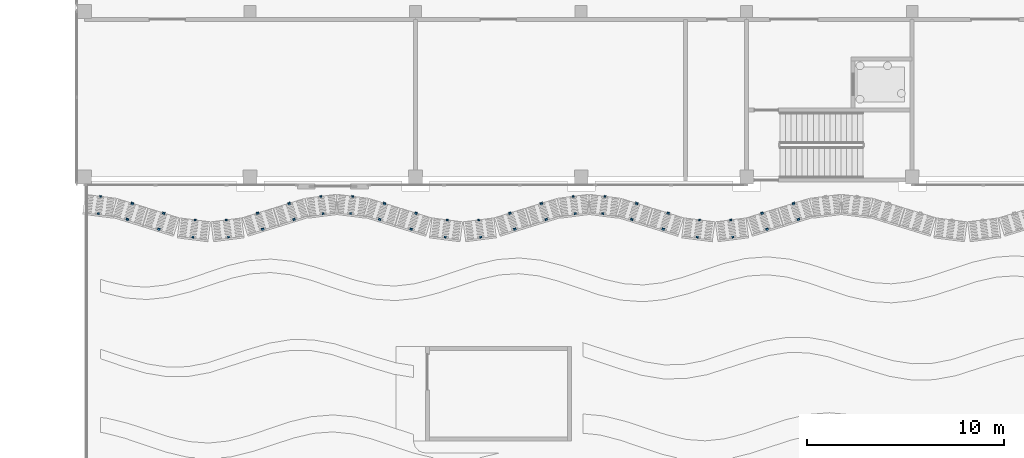
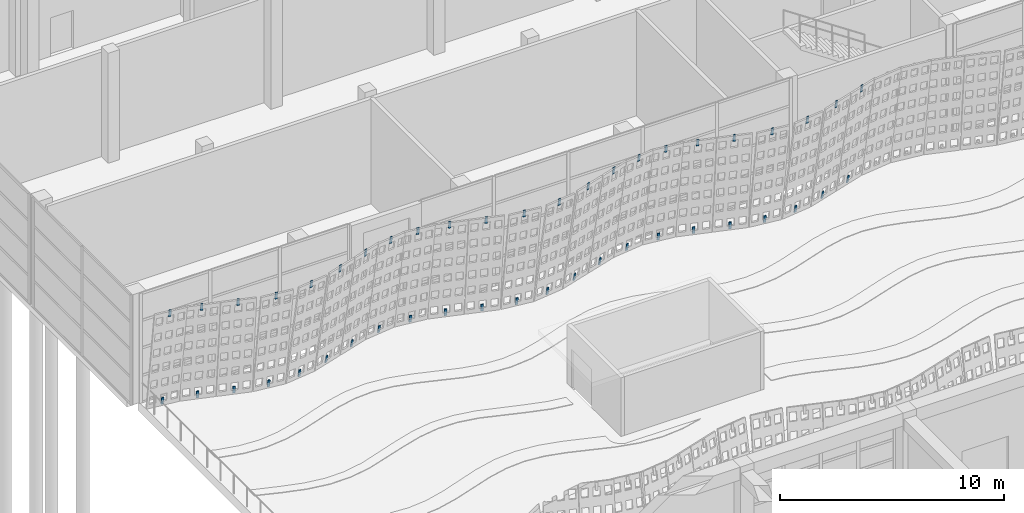
# One storey, part 139 of 210: 46 discrete accessories.
"""IFC4 building model written with IfcOpenShell, lengths in metres."""

import ifcopenshell
import ifcopenshell.guid

model = None  # the IFC model being written
_history = None  # IfcOwnerHistory: only IFC2X3 demands one
_inside = {}  # id of a spatial element -> (the spatial element, [elements in it])
_under = {}  # id of a project, library or spatial element -> (it, [spatial elements below it])
_declared = {}  # id of a project -> (the project, [libraries it declares])
_typed = {}  # id of a type object -> (the type object, [elements of that type])
_made_of = {}  # id of a material, layer set ... -> (it, [elements and type objects made of it])


def new_model(schema):
    """Start an empty IFC model of exactly this schema.

    Asked for "IFC4X3", IfcOpenShell would pick the latest addendum, in which some entities
    have other attributes; the version numbers below select the first issue.
    IFC2X3 requires an IfcOwnerHistory on every rooted entity: one is made here for all.
    """
    global model, _history
    if schema == "IFC4X3":
        model = ifcopenshell.file(schema_version=(4, 3, 0, 0))
    else:
        model = ifcopenshell.file(schema=schema)
    _inside.clear()
    _under.clear()
    _declared.clear()
    _typed.clear()
    _made_of.clear()
    _history = None
    if model.schema == "IFC2X3":
        org = make("IfcOrganization", Name="unknown")
        user = make(
            "IfcPersonAndOrganization",
            ThePerson=make("IfcPerson", FamilyName="unknown"),
            TheOrganization=org,
        )
        app = make(
            "IfcApplication",
            ApplicationDeveloper=org,
            Version="unknown",
            ApplicationFullName="unknown",
            ApplicationIdentifier="unknown",
        )
        _history = make(
            "IfcOwnerHistory",
            OwningUser=user,
            OwningApplication=app,
            ChangeAction="ADDED",
            CreationDate=0,
        )
    return model


def make(cls, **values):
    """One entity of the class cls with the attributes given. An attribute that is None is left unset."""
    return model.create_entity(
        cls, **{name: value for name, value in values.items() if value is not None}
    )


def rooted(cls, **values):
    """An entity with a GlobalId (a new one), such as an element, a storey or a relation."""
    return make(cls, GlobalId=ifcopenshell.guid.new(), OwnerHistory=_history, **values)


def si_unit(unit_type, name, prefix=None):
    """IfcSIUnit, for example si_unit("LENGTHUNIT", "METRE", prefix="MILLI")."""
    return make("IfcSIUnit", UnitType=unit_type, Prefix=prefix, Name=name)


def assignment(units):
    """IfcUnitAssignment: the units of a project."""
    return None if units is None else make("IfcUnitAssignment", Units=units)


def point(xyz):
    """IfcCartesianPoint."""
    return None if xyz is None else make("IfcCartesianPoint", Coordinates=xyz)


def direction(xyz):
    """IfcDirection."""
    return None if xyz is None else make("IfcDirection", DirectionRatios=xyz)


def frame(location, z_axis=None, x_axis=None):
    """IfcAxis2Placement3D, a coordinate frame: its origin and axes. An axis left out is left unset."""
    return make(
        "IfcAxis2Placement3D",
        Location=point(location),
        Axis=direction(z_axis),
        RefDirection=direction(x_axis),
    )


def frame_2d(location, x_axis=None):
    """IfcAxis2Placement2D, a coordinate frame in the plane: its origin and x axis."""
    return make(
        "IfcAxis2Placement2D", Location=point(location), RefDirection=direction(x_axis)
    )


def origin():
    """The frame at (0, 0, 0) with its axes left unset."""
    return frame((0.0, 0.0, 0.0))


def origin_2d():
    """The frame at (0, 0) in the plane with its x axis left unset."""
    return frame_2d((0.0, 0.0))


def place(relative_to, where):
    """IfcLocalPlacement: puts the frame where relative to a parent placement (None: the world)."""
    return make(
        "IfcLocalPlacement", PlacementRelTo=relative_to, RelativePlacement=where
    )


def context(
    kind, dimensions, precision=None, world=None, true_north=None, identifier=None
):
    """IfcGeometricRepresentationContext, for example the 3D "Model" context."""
    return make(
        "IfcGeometricRepresentationContext",
        ContextIdentifier=identifier,
        ContextType=kind,
        CoordinateSpaceDimension=dimensions,
        Precision=precision,
        WorldCoordinateSystem=world,
        TrueNorth=true_north,
    )


def subcontext(parent, identifier, kind, view, scale=None):
    """IfcGeometricRepresentationSubContext, for example "Body" below "Model"."""
    return make(
        "IfcGeometricRepresentationSubContext",
        ContextIdentifier=identifier,
        ContextType=kind,
        ParentContext=parent,
        TargetScale=scale,
        TargetView=view,
    )


def project(units=None, contexts=None):
    """IfcProject with its units and contexts."""
    return rooted(
        "IfcProject",
        Name="project",
        RepresentationContexts=contexts,
        UnitsInContext=assignment(units),
    )


def spatial(cls, under=None, at=None, **own):
    """A site, building, storey or space (cls), placed at a placement, below another one or the project."""
    s = rooted(cls, ObjectPlacement=at, **own)
    if under is not None:
        _under.setdefault(under.id(), (under, []))[1].append(s)
    return s


def profile(cls, at=None, kind="AREA", **sizes):
    """A parametric profile (cls). Its sizes go by their IFC names, for example OverallWidth=200.0."""
    return make(cls, ProfileType=kind, Position=at, **sizes)


def rectangle(**sizes):
    """IfcRectangleProfileDef."""
    return profile("IfcRectangleProfileDef", **sizes)


def extrude(swept, where, along, depth):
    """IfcExtrudedAreaSolid: the profile swept, set in the frame where, extruded along a direction by depth."""
    return make(
        "IfcExtrudedAreaSolid",
        SweptArea=swept,
        Position=where,
        ExtrudedDirection=direction(along),
        Depth=depth,
    )


def shape(context_of_items, identifier, shape_type, items):
    """IfcShapeRepresentation: the items that make up one representation, for example the "Body"."""
    return make(
        "IfcShapeRepresentation",
        ContextOfItems=context_of_items,
        RepresentationIdentifier=identifier,
        RepresentationType=shape_type,
        Items=items,
    )


def material(Name=None, Category=None):
    """IfcMaterial."""
    return make("IfcMaterial", Name=Name, Category=Category)


def material_profile(
    of_material, cross_section, Name=None, Category=None, Priority=None
):
    """IfcMaterialProfile: a cross section and its material."""
    return make(
        "IfcMaterialProfile",
        Name=Name,
        Material=of_material,
        Profile=cross_section,
        Priority=Priority,
        Category=Category,
    )


def profile_set(profiles, Name=None, composite=None):
    """IfcMaterialProfileSet."""
    return make(
        "IfcMaterialProfileSet",
        Name=Name,
        MaterialProfiles=profiles,
        CompositeProfile=composite,
    )


def made_of(thing, what):
    """Note that an element or type object is made of a material, layer set ...; save() writes the relation."""
    if what is not None:
        _made_of.setdefault(what.id(), (what, []))[1].append(thing)
    return thing


def type_object(cls, material=None, **own):
    """A type object (cls), such as IfcWallType, which elements share."""
    return made_of(rooted(cls, **own), material)


def element(
    cls,
    number,
    at=None,
    inside=None,
    cuts=None,
    type_object=None,
    material=None,
    context=None,
    identifier="Body",
    shape_type=None,
    held_by="IfcProductDefinitionShape",
    body=None,
    shapes=None,
    **own,
):
    """One element of the class cls, such as IfcWall. Its Tag is "e" and its number.

    at: its placement. inside: the storey or other place that contains it. cuts: it is an
    opening in that element (IfcRelVoidsElement). A single representation is given by context,
    identifier, shape_type and body (its items); several are given by shapes. held_by: the class
    of the entity that holds the representations. save() writes the other relations.
    """
    e = rooted(cls, Tag="e%d" % number, ObjectPlacement=at, **own)
    if body is not None:
        shapes = [shape(context, identifier, shape_type, body)]
    if shapes is not None:
        e.Representation = make(held_by, Representations=shapes)
    if inside is not None:
        _inside.setdefault(inside.id(), (inside, []))[1].append(e)
    if cuts is not None:
        rooted(
            "IfcRelVoidsElement", RelatingBuildingElement=cuts, RelatedOpeningElement=e
        )
    if type_object is not None:
        _typed.setdefault(type_object.id(), (type_object, []))[1].append(e)
    return made_of(e, material)


def aggregate(whole, parts):
    """IfcRelAggregates: a whole, such as a stair, and the parts it consists of."""
    return rooted("IfcRelAggregates", RelatingObject=whole, RelatedObjects=parts)


def save(model, path):
    """Write the relations noted so far, then the file.

    IfcRelAggregates (storeys below a building ...), IfcRelContainedInSpatialStructure (elements
    in a storey), IfcRelDefinesByType, IfcRelAssociatesMaterial and IfcRelDeclares: one each for
    every whole, place, type object, material and project.
    """
    for whole, parts in _under.values():
        aggregate(whole, parts)
    for where, things in _inside.values():
        rooted(
            "IfcRelContainedInSpatialStructure",
            RelatedElements=things,
            RelatingStructure=where,
        )
    for kind, things in _typed.values():
        rooted("IfcRelDefinesByType", RelatedObjects=things, RelatingType=kind)
    for what, things in _made_of.values():
        rooted("IfcRelAssociatesMaterial", RelatedObjects=things, RelatingMaterial=what)
    for by, libraries in _declared.values():
        rooted("IfcRelDeclares", RelatingContext=by, RelatedDefinitions=libraries)
    model.write(path)


model = new_model("IFC4")

# Units and contexts
model_context = context("Model", 3, precision=1e-05, world=origin(), true_north=direction((0.0, 1.0)))
body_context = subcontext(model_context, "Body", "Model", "MODEL_VIEW")
ifc_project = project(units=[si_unit("LENGTHUNIT", "METRE"), si_unit("AREAUNIT", "SQUARE_METRE"), si_unit("VOLUMEUNIT", "CUBIC_METRE"), si_unit("PLANEANGLEUNIT", "RADIAN"), si_unit("MASSUNIT", "GRAM", prefix="KILO")], contexts=[model_context])

# Site, building, storey
site_placement = place(None, origin())
site = spatial("IfcSite", under=ifc_project, at=site_placement, CompositionType="ELEMENT")
building_placement = place(site_placement, origin())
building = spatial("IfcBuilding", under=site, at=building_placement, Name="Rain Tree Exposition and Congress Centre", CompositionType="ELEMENT")
storey_placement = place(building_placement, origin())
storey = spatial("IfcBuildingStorey", under=building, at=storey_placement, Name="L00", CompositionType="ELEMENT", Elevation=0.0)

# Discrete accessories
ifc_material = material(Name="Steel S355J2", Category="steel")
ifc_material_profile = material_profile(ifc_material, rectangle(XDim=0.1201171875, YDim=0.050048828125, at=origin_2d()), Name="Flat bar 120x50")
ifc_profile_set = profile_set([ifc_material_profile], Name="Steel S355J2")
discrete_accessory_type = type_object("IfcDiscreteAccessoryType", Name="Screen bracket 120x50", PredefinedType="BRACKET", material=ifc_profile_set)
for number, where, z_axis, x_axis, name in (
    (1, (0.701904296875, 73.781005859375, 5.351318359375), (-0.020749404626, -0.160502747552, 0.986817272972), (0.991746960377, -0.128210633661, 0.0), "concourse/bracket/L00/0011t"),
    (2, (0.813232421875, 74.650390625, 0.00390625), (-0.020749404626, -0.160502747552, 0.986817272972), (0.991746960377, -0.128210633661, 0.0), "concourse/bracket/L00/0011b"),
):
    element("IfcDiscreteAccessory", number, at=place(storey_placement, frame(where, z_axis=z_axis, x_axis=x_axis)), inside=storey, type_object=discrete_accessory_type, Name=name, PredefinedType="BRACKET", context=body_context, shape_type="SweptSolid", body=[
        extrude(rectangle(XDim=0.1201171875, YDim=0.050048828125, at=origin_2d()), origin(), (0.0, 0.0, 1.0), 0.400146484375),
    ])
for number, where, z_axis, x_axis, name in (
    (3, (2.18115234375, 73.489990234375, 5.35107421875), (-0.046396386353, -0.148956819344, 0.987754646309), (0.954758063246, -0.297383659044, 0.0), "concourse/bracket/L00/0021t"),
    (4, (2.4306640625, 74.29638671875, 0.00390625), (-0.046396386353, -0.148956819344, 0.987754646309), (0.954758063246, -0.297383659044, 0.0), "concourse/bracket/L00/0021b"),
    (5, (3.77783203125, 72.99609375, 5.35107421875), (-0.045783024094, -0.149557878708, 0.987692439791), (0.956199955507, -0.292714272094, 0.0), "concourse/bracket/L00/0031t"),
    (6, (4.02734375, 73.802490234375, 0.00390625), (-0.046396386353, -0.148956819344, 0.987754646309), (0.954758063246, -0.297383659044, 0.0), "concourse/bracket/L00/0031b"),
):
    element("IfcDiscreteAccessory", number, at=place(storey_placement, frame(where, z_axis=z_axis, x_axis=x_axis)), inside=storey, type_object=discrete_accessory_type, Name=name, PredefinedType="BRACKET", context=body_context, shape_type="SweptSolid", body=[
        extrude(rectangle(XDim=0.1201171875, YDim=0.050048828125, at=origin_2d()), origin(), (0.0, 0.0, 1.0), 0.39990234375),
    ])
for number, where, z_axis, x_axis, name in (
    (7, (5.5, 72.586181640625, 5.351318359375), (-0.020139379294, -0.160504750127, 0.986829585384), (0.992219726556, -0.124499053142, 0.0), "concourse/bracket/L00/0041t"),
    (8, (5.611572265625, 73.45556640625, 0.00390625), (-0.020749404626, -0.160502747552, 0.986817272972), (0.991746960377, -0.128210633661, 0.0), "concourse/bracket/L00/0041b"),
    (9, (7.2998046875, 72.586181640625, 5.351318359375), (0.020749404626, -0.160502747552, 0.986817272972), (0.991746960377, 0.128210633661, 0.0), "concourse/bracket/L00/0051t"),
    (10, (7.1884765625, 73.45556640625, 0.00390625), (0.020749404626, -0.160502747552, 0.986817272972), (0.991746960377, 0.128210633661, 0.0), "concourse/bracket/L00/0051b"),
):
    element("IfcDiscreteAccessory", number, at=place(storey_placement, frame(where, z_axis=z_axis, x_axis=x_axis)), inside=storey, type_object=discrete_accessory_type, Name=name, PredefinedType="BRACKET", context=body_context, shape_type="SweptSolid", body=[
        extrude(rectangle(XDim=0.1201171875, YDim=0.050048828125, at=origin_2d()), origin(), (0.0, 0.0, 1.0), 0.400146484375),
    ])
for number, where, z_axis, x_axis, name in (
    (11, (9.022216796875, 72.99609375, 5.35107421875), (0.045783024094, -0.149557878708, 0.987692439791), (0.956199955507, 0.292714272094, 0.0), "concourse/bracket/L00/0061t"),
    (12, (8.772705078125, 73.802490234375, 0.00390625), (0.045787195948, -0.148961010819, 0.987782440593), (0.955863671221, 0.293810554678, 0.0), "concourse/bracket/L00/0061b"),
    (13, (10.618896484375, 73.489990234375, 5.35107421875), (0.045787195948, -0.148961010819, 0.987782440593), (0.955863671221, 0.293810554678, 0.0), "concourse/bracket/L00/0071t"),
    (14, (10.369384765625, 74.29638671875, 0.00390625), (0.045787195948, -0.148961010819, 0.987782440593), (0.955863671221, 0.293810554678, 0.0), "concourse/bracket/L00/0071b"),
):
    element("IfcDiscreteAccessory", number, at=place(storey_placement, frame(where, z_axis=z_axis, x_axis=x_axis)), inside=storey, type_object=discrete_accessory_type, Name=name, PredefinedType="BRACKET", context=body_context, shape_type="SweptSolid", body=[
        extrude(rectangle(XDim=0.1201171875, YDim=0.050048828125, at=origin_2d()), origin(), (0.0, 0.0, 1.0), 0.39990234375),
    ])
for number, where, z_axis, x_axis, name in (
    (15, (12.09814453125, 73.781005859375, 5.351318359375), (0.020749404626, -0.160502747552, 0.986817272972), (0.991746960377, 0.128210633661, 0.0), "concourse/bracket/L00/0081t"),
    (16, (11.98681640625, 74.650390625, 0.00390625), (0.020749404626, -0.160502747552, 0.986817272972), (0.991746960377, 0.128210633661, 0.0), "concourse/bracket/L00/0081b"),
    (17, (13.501708984375, 73.781005859375, 5.351318359375), (-0.020139379294, -0.160504750127, 0.986829585384), (0.992219726556, -0.124499053142, 0.0), "concourse/bracket/L00/0091t"),
    (18, (13.61328125, 74.650390625, 0.00390625), (-0.020749404626, -0.160502747552, 0.986817272972), (0.991746960377, -0.128210633661, 0.0), "concourse/bracket/L00/0091b"),
):
    element("IfcDiscreteAccessory", number, at=place(storey_placement, frame(where, z_axis=z_axis, x_axis=x_axis)), inside=storey, type_object=discrete_accessory_type, Name=name, PredefinedType="BRACKET", context=body_context, shape_type="SweptSolid", body=[
        extrude(rectangle(XDim=0.1201171875, YDim=0.050048828125, at=origin_2d()), origin(), (0.0, 0.0, 1.0), 0.400146484375),
    ])
for number, where, z_axis, x_axis, name in (
    (19, (14.981201171875, 73.489990234375, 5.35107421875), (-0.046396386353, -0.148956819344, 0.987754646309), (0.954758063246, -0.297383659044, 0.0), "concourse/bracket/L00/0101t"),
    (20, (15.230712890625, 74.29638671875, 0.00390625), (-0.046396386353, -0.148956819344, 0.987754646309), (0.954758063246, -0.297383659044, 0.0), "concourse/bracket/L00/0101b"),
    (21, (16.577880859375, 72.99609375, 5.35107421875), (-0.046392159231, -0.149553671205, 0.987664653104), (0.955102182504, -0.296276595389, 0.0), "concourse/bracket/L00/0111t"),
    (22, (16.827392578125, 73.802490234375, 0.00390625), (-0.046396386353, -0.148956819344, 0.987754646309), (0.954758063246, -0.297383659044, 0.0), "concourse/bracket/L00/0111b"),
):
    element("IfcDiscreteAccessory", number, at=place(storey_placement, frame(where, z_axis=z_axis, x_axis=x_axis)), inside=storey, type_object=discrete_accessory_type, Name=name, PredefinedType="BRACKET", context=body_context, shape_type="SweptSolid", body=[
        extrude(rectangle(XDim=0.1201171875, YDim=0.050048828125, at=origin_2d()), origin(), (0.0, 0.0, 1.0), 0.39990234375),
    ])
for number, where, z_axis, x_axis, name in (
    (23, (18.300048828125, 72.586181640625, 5.351318359375), (-0.020139379294, -0.160504750127, 0.986829585384), (0.992219726556, -0.124499053142, 0.0), "concourse/bracket/L00/0121t"),
    (24, (18.41162109375, 73.45556640625, 0.00390625), (-0.020749404626, -0.160502747552, 0.986817272972), (0.991746960377, -0.128210633661, 0.0), "concourse/bracket/L00/0121b"),
    (25, (20.099853515625, 72.586181640625, 5.351318359375), (0.020749404626, -0.160502747552, 0.986817272972), (0.991746960377, 0.128210633661, 0.0), "concourse/bracket/L00/0131t"),
    (26, (19.988525390625, 73.45556640625, 0.00390625), (0.020139379294, -0.160504750127, 0.986829585384), (0.992219726556, 0.124499053142, 0.0), "concourse/bracket/L00/0131b"),
):
    element("IfcDiscreteAccessory", number, at=place(storey_placement, frame(where, z_axis=z_axis, x_axis=x_axis)), inside=storey, type_object=discrete_accessory_type, Name=name, PredefinedType="BRACKET", context=body_context, shape_type="SweptSolid", body=[
        extrude(rectangle(XDim=0.1201171875, YDim=0.050048828125, at=origin_2d()), origin(), (0.0, 0.0, 1.0), 0.400146484375),
    ])
for number, where, z_axis, x_axis, name in (
    (27, (21.822265625, 72.99609375, 5.35107421875), (0.045783024094, -0.149557878708, 0.987692439791), (0.956199955507, 0.292714272094, 0.0), "concourse/bracket/L00/0141t"),
    (28, (21.57275390625, 73.802490234375, 0.00390625), (0.045787195948, -0.148961010819, 0.987782440593), (0.955863671221, 0.293810554678, 0.0), "concourse/bracket/L00/0141b"),
    (29, (23.4189453125, 73.489990234375, 5.35107421875), (0.045787195948, -0.148961010819, 0.987782440593), (0.955863671221, 0.293810554678, 0.0), "concourse/bracket/L00/0151t"),
    (30, (23.16943359375, 74.29638671875, 0.00390625), (0.045787195948, -0.148961010819, 0.987782440593), (0.955863671221, 0.293810554678, 0.0), "concourse/bracket/L00/0151b"),
):
    element("IfcDiscreteAccessory", number, at=place(storey_placement, frame(where, z_axis=z_axis, x_axis=x_axis)), inside=storey, type_object=discrete_accessory_type, Name=name, PredefinedType="BRACKET", context=body_context, shape_type="SweptSolid", body=[
        extrude(rectangle(XDim=0.1201171875, YDim=0.050048828125, at=origin_2d()), origin(), (0.0, 0.0, 1.0), 0.39990234375),
    ])
for number, where, z_axis, x_axis, name in (
    (31, (24.898193359375, 73.781005859375, 5.351318359375), (0.020749404626, -0.160502747552, 0.986817272972), (0.991746960377, 0.128210633661, 0.0), "concourse/bracket/L00/0161t"),
    (32, (24.786865234375, 74.650390625, 0.00390625), (0.020139379294, -0.160504750127, 0.986829585384), (0.992219726556, 0.124499053142, 0.0), "concourse/bracket/L00/0161b"),
    (33, (26.3017578125, 73.781005859375, 5.351318359375), (-0.020139379294, -0.160504750127, 0.986829585384), (0.992219726556, -0.124499053142, 0.0), "concourse/bracket/L00/0171t"),
    (34, (26.4130859375, 74.650390625, 0.00390625), (-0.020139379294, -0.160504750127, 0.986829585384), (0.992219726556, -0.124499053142, 0.0), "concourse/bracket/L00/0171b"),
):
    element("IfcDiscreteAccessory", number, at=place(storey_placement, frame(where, z_axis=z_axis, x_axis=x_axis)), inside=storey, type_object=discrete_accessory_type, Name=name, PredefinedType="BRACKET", context=body_context, shape_type="SweptSolid", body=[
        extrude(rectangle(XDim=0.1201171875, YDim=0.050048828125, at=origin_2d()), origin(), (0.0, 0.0, 1.0), 0.400146484375),
    ])
for number, where, z_axis, x_axis, name in (
    (35, (27.781005859375, 73.489990234375, 5.35107421875), (-0.045787195948, -0.148961010819, 0.987782440593), (0.955863671221, -0.293810554678, 0.0), "concourse/bracket/L00/0181t"),
    (36, (28.030517578125, 74.29638671875, 0.00390625), (-0.045787195948, -0.148961010819, 0.987782440593), (0.955863671221, -0.293810554678, 0.0), "concourse/bracket/L00/0181b"),
    (37, (29.377685546875, 72.99609375, 5.35107421875), (-0.045783024094, -0.149557878708, 0.987692439791), (0.956199955507, -0.292714272094, 0.0), "concourse/bracket/L00/0191t"),
    (38, (29.627197265625, 73.802490234375, 0.00390625), (-0.045787195948, -0.148961010819, 0.987782440593), (0.955863671221, -0.293810554678, 0.0), "concourse/bracket/L00/0191b"),
):
    element("IfcDiscreteAccessory", number, at=place(storey_placement, frame(where, z_axis=z_axis, x_axis=x_axis)), inside=storey, type_object=discrete_accessory_type, Name=name, PredefinedType="BRACKET", context=body_context, shape_type="SweptSolid", body=[
        extrude(rectangle(XDim=0.1201171875, YDim=0.050048828125, at=origin_2d()), origin(), (0.0, 0.0, 1.0), 0.39990234375),
    ])
for number, where, z_axis, x_axis, name in (
    (39, (31.10009765625, 72.586181640625, 5.351318359375), (-0.020749404626, -0.160502747552, 0.986817272972), (0.991746960377, -0.128210633661, 0.0), "concourse/bracket/L00/0201t"),
    (40, (31.21142578125, 73.45556640625, 0.00390625), (-0.020139379294, -0.160504750127, 0.986829585384), (0.992219726556, -0.124499053142, 0.0), "concourse/bracket/L00/0201b"),
    (41, (32.89990234375, 72.586181640625, 5.351318359375), (0.020749404626, -0.160502747552, 0.986817272972), (0.991746960377, 0.128210633661, 0.0), "concourse/bracket/L00/0211t"),
    (42, (32.78857421875, 73.45556640625, 0.00390625), (0.020139379294, -0.160504750127, 0.986829585384), (0.992219726556, 0.124499053142, 0.0), "concourse/bracket/L00/0211b"),
):
    element("IfcDiscreteAccessory", number, at=place(storey_placement, frame(where, z_axis=z_axis, x_axis=x_axis)), inside=storey, type_object=discrete_accessory_type, Name=name, PredefinedType="BRACKET", context=body_context, shape_type="SweptSolid", body=[
        extrude(rectangle(XDim=0.1201171875, YDim=0.050048828125, at=origin_2d()), origin(), (0.0, 0.0, 1.0), 0.400146484375),
    ])
for number, where, z_axis, x_axis, name in (
    (43, (34.622314453125, 72.99609375, 5.35107421875), (0.045783024094, -0.149557878708, 0.987692439791), (0.956199955507, 0.292714272094, 0.0), "concourse/bracket/L00/0221t"),
    (44, (34.372802734375, 73.802490234375, 0.00390625), (0.045787195948, -0.148961010819, 0.987782440593), (0.955863671221, 0.293810554678, 0.0), "concourse/bracket/L00/0221b"),
    (45, (36.218994140625, 73.489990234375, 5.35107421875), (0.045787195948, -0.148961010819, 0.987782440593), (0.955863671221, 0.293810554678, 0.0), "concourse/bracket/L00/0231t"),
    (46, (35.969482421875, 74.29638671875, 0.00390625), (0.045787195948, -0.148961010819, 0.987782440593), (0.955863671221, 0.293810554678, 0.0), "concourse/bracket/L00/0231b"),
):
    element("IfcDiscreteAccessory", number, at=place(storey_placement, frame(where, z_axis=z_axis, x_axis=x_axis)), inside=storey, type_object=discrete_accessory_type, Name=name, PredefinedType="BRACKET", context=body_context, shape_type="SweptSolid", body=[
        extrude(rectangle(XDim=0.1201171875, YDim=0.050048828125, at=origin_2d()), origin(), (0.0, 0.0, 1.0), 0.39990234375),
    ])

save(model, "model.ifc")
